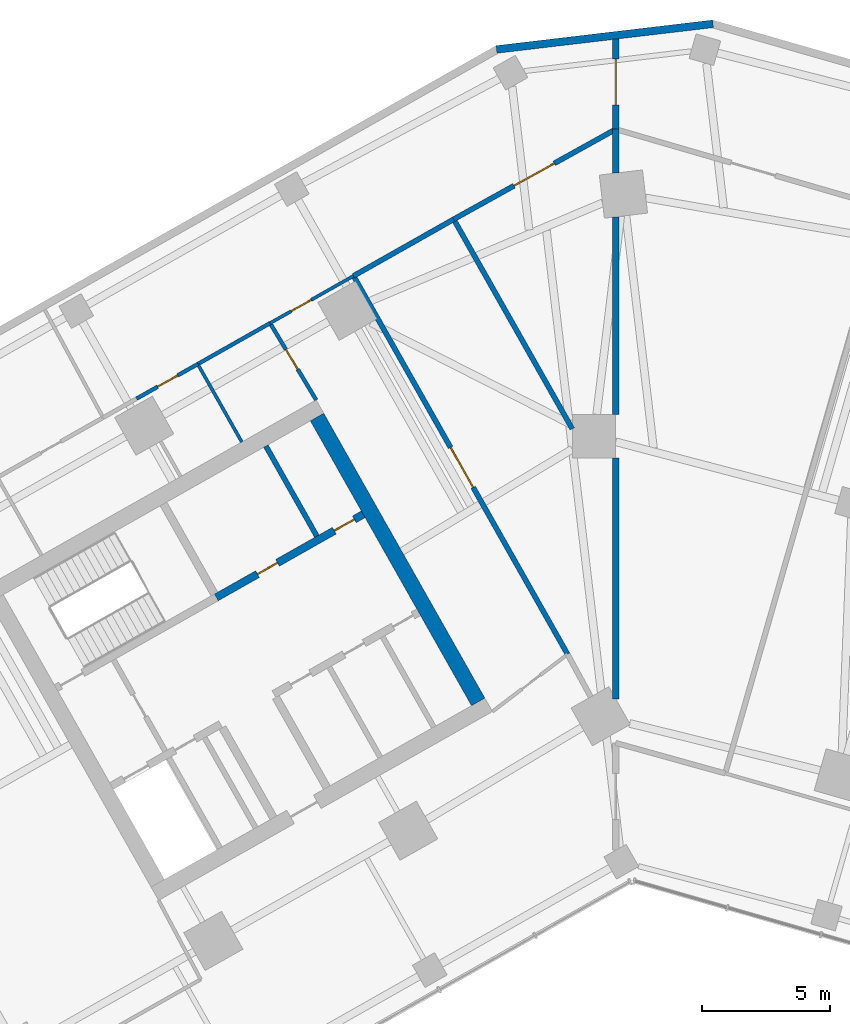
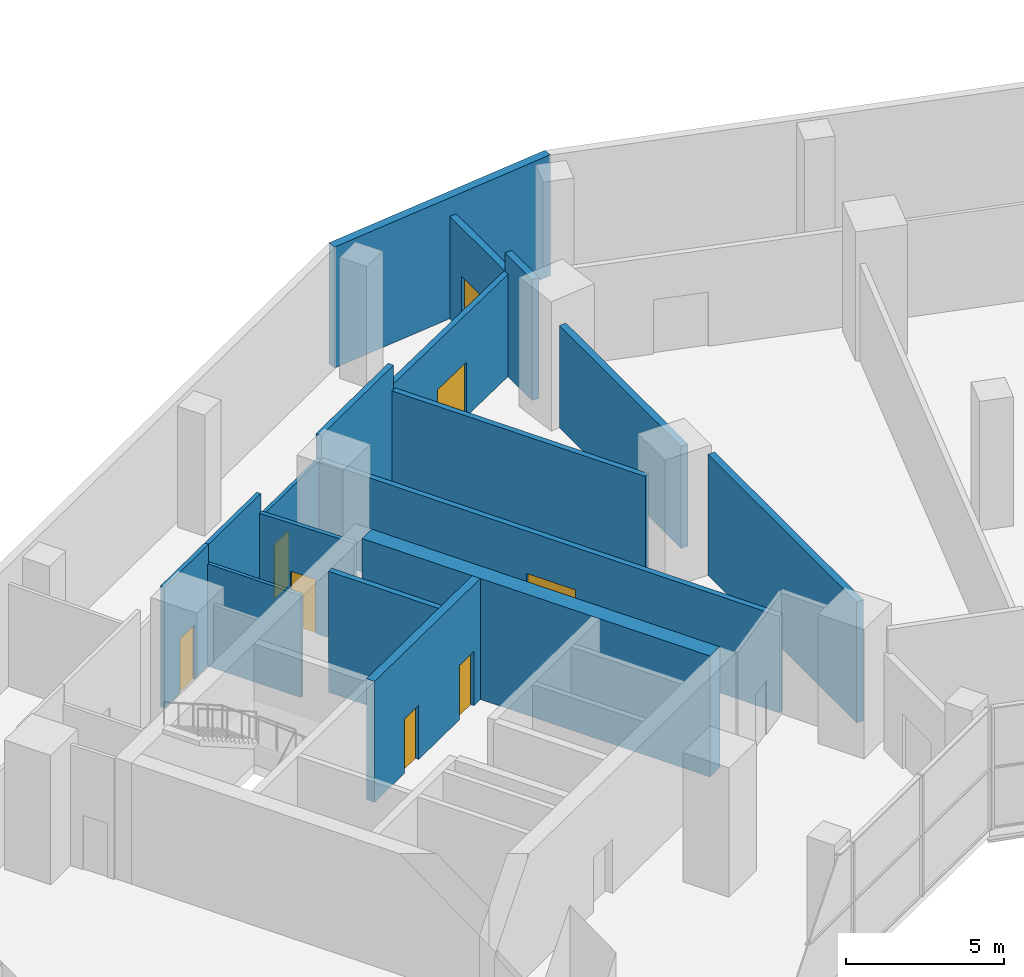
# One storey, part 10 of 16: 17 walls, 8 doors, 8 openings.
"""IFC4 building model written with IfcOpenShell, lengths in metres."""

import ifcopenshell
import ifcopenshell.guid

model = None  # the IFC model being written
_history = None  # IfcOwnerHistory: only IFC2X3 demands one
_inside = {}  # id of a spatial element -> (the spatial element, [elements in it])
_under = {}  # id of a project, library or spatial element -> (it, [spatial elements below it])
_declared = {}  # id of a project -> (the project, [libraries it declares])
_typed = {}  # id of a type object -> (the type object, [elements of that type])
_made_of = {}  # id of a material, layer set ... -> (it, [elements and type objects made of it])


def new_model(schema):
    """Start an empty IFC model of exactly this schema.

    Asked for "IFC4X3", IfcOpenShell would pick the latest addendum, in which some entities
    have other attributes; the version numbers below select the first issue.
    IFC2X3 requires an IfcOwnerHistory on every rooted entity: one is made here for all.
    """
    global model, _history
    if schema == "IFC4X3":
        model = ifcopenshell.file(schema_version=(4, 3, 0, 0))
    else:
        model = ifcopenshell.file(schema=schema)
    _inside.clear()
    _under.clear()
    _declared.clear()
    _typed.clear()
    _made_of.clear()
    _history = None
    if model.schema == "IFC2X3":
        org = make("IfcOrganization", Name="unknown")
        user = make(
            "IfcPersonAndOrganization",
            ThePerson=make("IfcPerson", FamilyName="unknown"),
            TheOrganization=org,
        )
        app = make(
            "IfcApplication",
            ApplicationDeveloper=org,
            Version="unknown",
            ApplicationFullName="unknown",
            ApplicationIdentifier="unknown",
        )
        _history = make(
            "IfcOwnerHistory",
            OwningUser=user,
            OwningApplication=app,
            ChangeAction="ADDED",
            CreationDate=0,
        )
    return model


def make(cls, **values):
    """One entity of the class cls with the attributes given. An attribute that is None is left unset."""
    return model.create_entity(
        cls, **{name: value for name, value in values.items() if value is not None}
    )


def rooted(cls, **values):
    """An entity with a GlobalId (a new one), such as an element, a storey or a relation."""
    return make(cls, GlobalId=ifcopenshell.guid.new(), OwnerHistory=_history, **values)


def si_unit(unit_type, name, prefix=None):
    """IfcSIUnit, for example si_unit("LENGTHUNIT", "METRE", prefix="MILLI")."""
    return make("IfcSIUnit", UnitType=unit_type, Prefix=prefix, Name=name)


def assignment(units):
    """IfcUnitAssignment: the units of a project."""
    return None if units is None else make("IfcUnitAssignment", Units=units)


def point(xyz):
    """IfcCartesianPoint."""
    return None if xyz is None else make("IfcCartesianPoint", Coordinates=xyz)


def direction(xyz):
    """IfcDirection."""
    return None if xyz is None else make("IfcDirection", DirectionRatios=xyz)


def frame(location, z_axis=None, x_axis=None):
    """IfcAxis2Placement3D, a coordinate frame: its origin and axes. An axis left out is left unset."""
    return make(
        "IfcAxis2Placement3D",
        Location=point(location),
        Axis=direction(z_axis),
        RefDirection=direction(x_axis),
    )


def frame_2d(location, x_axis=None):
    """IfcAxis2Placement2D, a coordinate frame in the plane: its origin and x axis."""
    return make(
        "IfcAxis2Placement2D", Location=point(location), RefDirection=direction(x_axis)
    )


def origin():
    """The frame at (0, 0, 0) with its axes left unset."""
    return frame((0.0, 0.0, 0.0))


def place(relative_to, where):
    """IfcLocalPlacement: puts the frame where relative to a parent placement (None: the world)."""
    return make(
        "IfcLocalPlacement", PlacementRelTo=relative_to, RelativePlacement=where
    )


def context(
    kind, dimensions, precision=None, world=None, true_north=None, identifier=None
):
    """IfcGeometricRepresentationContext, for example the 3D "Model" context."""
    return make(
        "IfcGeometricRepresentationContext",
        ContextIdentifier=identifier,
        ContextType=kind,
        CoordinateSpaceDimension=dimensions,
        Precision=precision,
        WorldCoordinateSystem=world,
        TrueNorth=true_north,
    )


def subcontext(parent, identifier, kind, view, scale=None):
    """IfcGeometricRepresentationSubContext, for example "Body" below "Model"."""
    return make(
        "IfcGeometricRepresentationSubContext",
        ContextIdentifier=identifier,
        ContextType=kind,
        ParentContext=parent,
        TargetScale=scale,
        TargetView=view,
    )


def project(units=None, contexts=None):
    """IfcProject with its units and contexts."""
    return rooted(
        "IfcProject",
        Name="project",
        RepresentationContexts=contexts,
        UnitsInContext=assignment(units),
    )


def spatial(cls, under=None, at=None, **own):
    """A site, building, storey or space (cls), placed at a placement, below another one or the project."""
    s = rooted(cls, ObjectPlacement=at, **own)
    if under is not None:
        _under.setdefault(under.id(), (under, []))[1].append(s)
    return s


def profile(cls, at=None, kind="AREA", **sizes):
    """A parametric profile (cls). Its sizes go by their IFC names, for example OverallWidth=200.0."""
    return make(cls, ProfileType=kind, Position=at, **sizes)


def rectangle(**sizes):
    """IfcRectangleProfileDef."""
    return profile("IfcRectangleProfileDef", **sizes)


def extrude(swept, where, along, depth):
    """IfcExtrudedAreaSolid: the profile swept, set in the frame where, extruded along a direction by depth."""
    return make(
        "IfcExtrudedAreaSolid",
        SweptArea=swept,
        Position=where,
        ExtrudedDirection=direction(along),
        Depth=depth,
    )


def shape(context_of_items, identifier, shape_type, items):
    """IfcShapeRepresentation: the items that make up one representation, for example the "Body"."""
    return make(
        "IfcShapeRepresentation",
        ContextOfItems=context_of_items,
        RepresentationIdentifier=identifier,
        RepresentationType=shape_type,
        Items=items,
    )


def material(Name=None, Category=None):
    """IfcMaterial."""
    return make("IfcMaterial", Name=Name, Category=Category)


def layer(
    of_material, thickness, ventilated=None, Name=None, Category=None, Priority=None
):
    """IfcMaterialLayer: one layer of a wall or slab, of a material (None: an air gap)."""
    return make(
        "IfcMaterialLayer",
        Material=of_material,
        LayerThickness=thickness,
        IsVentilated=ventilated,
        Name=Name,
        Category=Category,
        Priority=Priority,
    )


def layer_set(layers, Name=None):
    """IfcMaterialLayerSet."""
    return make("IfcMaterialLayerSet", MaterialLayers=layers, LayerSetName=Name)


def made_of(thing, what):
    """Note that an element or type object is made of a material, layer set ...; save() writes the relation."""
    if what is not None:
        _made_of.setdefault(what.id(), (what, []))[1].append(thing)
    return thing


def type_object(cls, material=None, **own):
    """A type object (cls), such as IfcWallType, which elements share."""
    return made_of(rooted(cls, **own), material)


def element(
    cls,
    number,
    at=None,
    inside=None,
    cuts=None,
    type_object=None,
    material=None,
    context=None,
    identifier="Body",
    shape_type=None,
    held_by="IfcProductDefinitionShape",
    body=None,
    shapes=None,
    **own,
):
    """One element of the class cls, such as IfcWall. Its Tag is "e" and its number.

    at: its placement. inside: the storey or other place that contains it. cuts: it is an
    opening in that element (IfcRelVoidsElement). A single representation is given by context,
    identifier, shape_type and body (its items); several are given by shapes. held_by: the class
    of the entity that holds the representations. save() writes the other relations.
    """
    e = rooted(cls, Tag="e%d" % number, ObjectPlacement=at, **own)
    if body is not None:
        shapes = [shape(context, identifier, shape_type, body)]
    if shapes is not None:
        e.Representation = make(held_by, Representations=shapes)
    if inside is not None:
        _inside.setdefault(inside.id(), (inside, []))[1].append(e)
    if cuts is not None:
        rooted(
            "IfcRelVoidsElement", RelatingBuildingElement=cuts, RelatedOpeningElement=e
        )
    if type_object is not None:
        _typed.setdefault(type_object.id(), (type_object, []))[1].append(e)
    return made_of(e, material)


def fill(opening, filler):
    """IfcRelFillsElement: the door or window that sits in an opening."""
    return rooted(
        "IfcRelFillsElement",
        RelatingOpeningElement=opening,
        RelatedBuildingElement=filler,
    )


def aggregate(whole, parts):
    """IfcRelAggregates: a whole, such as a stair, and the parts it consists of."""
    return rooted("IfcRelAggregates", RelatingObject=whole, RelatedObjects=parts)


def save(model, path):
    """Write the relations noted so far, then the file.

    IfcRelAggregates (storeys below a building ...), IfcRelContainedInSpatialStructure (elements
    in a storey), IfcRelDefinesByType, IfcRelAssociatesMaterial and IfcRelDeclares: one each for
    every whole, place, type object, material and project.
    """
    for whole, parts in _under.values():
        aggregate(whole, parts)
    for where, things in _inside.values():
        rooted(
            "IfcRelContainedInSpatialStructure",
            RelatedElements=things,
            RelatingStructure=where,
        )
    for kind, things in _typed.values():
        rooted("IfcRelDefinesByType", RelatedObjects=things, RelatingType=kind)
    for what, things in _made_of.values():
        rooted("IfcRelAssociatesMaterial", RelatedObjects=things, RelatingMaterial=what)
    for by, libraries in _declared.values():
        rooted("IfcRelDeclares", RelatingContext=by, RelatedDefinitions=libraries)
    model.write(path)


model = new_model("IFC4")

# Units and contexts
model_context = context("Model", 3, precision=1e-05, world=origin(), true_north=direction((0.0, 1.0)))
body_context = subcontext(model_context, "Body", "Model", "MODEL_VIEW")
ifc_project = project(units=[si_unit("LENGTHUNIT", "METRE"), si_unit("AREAUNIT", "SQUARE_METRE"), si_unit("VOLUMEUNIT", "CUBIC_METRE"), si_unit("PLANEANGLEUNIT", "RADIAN"), si_unit("MASSUNIT", "GRAM", prefix="KILO")], contexts=[model_context])

# Site, building, storey
site_placement = place(None, origin())
site = spatial("IfcSite", under=ifc_project, at=site_placement, CompositionType="ELEMENT")
building_placement = place(site_placement, origin())
building = spatial("IfcBuilding", under=site, at=building_placement, Name="Binnacle Exchange Tower", CompositionType="ELEMENT")
storey_placement = place(building_placement, frame((0.0, 0.0, 21.5)))
storey = spatial("IfcBuildingStorey", under=building, at=storey_placement, Name="L04", CompositionType="ELEMENT", Elevation=21.5)

# Wall
ifc_material_1 = material(Name="Gypsum partition fire rated")
ifc_layer_1 = layer(ifc_material_1, 0.199951171875)
ifc_layer_set_1 = layer_set([ifc_layer_1], Name="Core partition 200")
wall_type_1 = type_object("IfcWallType", Name="Core partition 200", PredefinedType="PARTITIONING", material=ifc_layer_set_1)
wall_1_placement = place(storey_placement, frame((-13.682861328125, 59.612060546875, 0.0), z_axis=(0.0, 0.0, 1.0), x_axis=(0.49241474071, -0.870360685654, 0.0)))
element("IfcWall", 1, at=wall_1_placement, inside=storey, type_object=wall_type_1, Name="Core wall CRWC20", PredefinedType="PARTITIONING", context=body_context, shape_type="SweptSolid", body=[
    extrude(rectangle(XDim=4.05029296875, YDim=0.199951171875, at=frame_2d((2.025146484375, 0.0))), origin(), (0.0, 0.0, 1.0), 4.679931640625),
])

# Wall, openings, doors
ifc_material_2 = material(Name="Concrete C70/85", Category="concrete")
ifc_layer_2 = layer(ifc_material_2, 0.300048828125)
ifc_layer_set_2 = layer_set([ifc_layer_2], Name="Core wall - front 300")
wall_type_2 = type_object("IfcWallType", Name="Core wall - front 300", PredefinedType="SOLIDWALL", material=ifc_layer_set_2)
wall_2_placement = place(storey_placement, frame((-15.6181640625, 53.69140625, 0.0), z_axis=(0.0, 0.0, 1.0), x_axis=(0.870356769198, 0.492421663121, 0.0)))
wall_2 = element("IfcWall", 2, at=wall_2_placement, inside=storey, type_object=wall_type_2, Name="Core wall CRWC5", PredefinedType="SOLIDWALL", context=body_context, shape_type="SweptSolid", body=[
    extrude(rectangle(XDim=6.60009765625, YDim=0.300048828125, at=frame_2d((3.300048828125, 0.0))), origin(), (0.0, 0.0, 1.0), 4.679931640625),
])
opening_1_placement = place(wall_2_placement, frame((1.85009765625, 0.0, 0.0)))
opening_1 = element("IfcOpeningElement", 3, at=opening_1_placement, cuts=wall_2, Name="Opening DC10", PredefinedType="OPENING", context=body_context, shape_type="SweptSolid", body=[
    extrude(rectangle(XDim=0.89990234375, YDim=2.10009765625, at=frame_2d((0.449951171875, 1.050048828125))), frame((0.0, 0.159912109375, 0.0), z_axis=(0.0, -1.0, 0.0), x_axis=(1.0, 0.0, 0.0)), (0.0, 0.0, 1.0), 0.320068359375),
])
opening_2_placement = place(wall_2_placement, frame((5.300048828125, 0.0, 0.0)))
opening_2 = element("IfcOpeningElement", 4, at=opening_2_placement, cuts=wall_2, Name="Opening DC11", PredefinedType="OPENING", context=body_context, shape_type="SweptSolid", body=[
    extrude(rectangle(XDim=0.89990234375, YDim=2.10009765625, at=frame_2d((0.449951171875, 1.050048828125))), frame((0.0, 0.159912109375, 0.0), z_axis=(0.0, -1.0, 0.0), x_axis=(1.0, 0.0, 0.0)), (0.0, 0.0, 1.0), 0.320068359375),
])
ifc_material_3 = material(Name="Steel door leaf", Category="steel")
door_type_1 = type_object("IfcDoorType", Name="Fire door 900", OperationType="NOTDEFINED", PredefinedType="DOOR", material=ifc_material_3)
door_1_placement = place(opening_1_placement, origin())
door_1 = element("IfcDoor", 5, at=door_1_placement, inside=storey, type_object=door_type_1, Name="Core room door EQUIPMENT STORE", OperationType="SINGLE_SWING_LEFT", OverallHeight=2.10009765625, OverallWidth=0.89990234375, PredefinedType="DOOR", context=body_context, shape_type="SweptSolid", body=[
    extrude(rectangle(XDim=0.89990234375, YDim=2.10009765625, at=frame_2d((0.449951171875, 1.050048828125))), frame((0.0, 0.02490234375, 0.0), z_axis=(0.0, -1.0, 0.0), x_axis=(1.0, 0.0, 0.0)), (0.0, 0.0, 1.0), 0.050048828125),
])
fill(opening_1, door_1)
door_2_placement = place(opening_2_placement, origin())
door_2 = element("IfcDoor", 6, at=door_2_placement, inside=storey, type_object=door_type_1, Name="Core room door UPS CUPBOARD", OperationType="SINGLE_SWING_RIGHT", OverallHeight=2.10009765625, OverallWidth=0.89990234375, PredefinedType="DOOR", context=body_context, shape_type="SweptSolid", body=[
    extrude(rectangle(XDim=0.89990234375, YDim=2.10009765625, at=frame_2d((0.449951171875, 1.050048828125))), frame((0.0, 0.02490234375, 0.0), z_axis=(0.0, -1.0, 0.0), x_axis=(1.0, 0.0, 0.0)), (0.0, 0.0, 1.0), 0.050048828125),
])
fill(opening_2, door_2)

# Walls
ifc_layer_3 = layer(ifc_material_2, 0.60009765625)
ifc_layer_set_3 = layer_set([ifc_layer_3], Name="Core wall - outer 600")
wall_type_3 = type_object("IfcWallType", Name="Core wall - outer 600", PredefinedType="SOLIDWALL", material=ifc_layer_set_3)
wall_3_placement = place(storey_placement, frame((-11.680908203125, 60.744384765625, 0.0), z_axis=(0.0, 0.0, 1.0), x_axis=(0.492426772896, -0.870353878221, 0.0)))
element("IfcWall", 7, at=wall_3_placement, inside=storey, type_object=wall_type_3, Name="Core wall CRWC24", PredefinedType="SOLIDWALL", context=body_context, shape_type="SweptSolid", body=[
    extrude(rectangle(XDim=12.7998046875, YDim=0.60009765625, at=frame_2d((6.39990234375, 0.0))), origin(), (0.0, 0.0, 1.0), 4.679931640625),
])
ifc_material_4 = material(Name="Bronze aluminium louvre", Category="aluminium")
ifc_layer_4 = layer(ifc_material_4, 0.300048828125)
ifc_layer_set_4 = layer_set([ifc_layer_4], Name="External wall - podium louvre 300")
wall_type_4 = type_object("IfcWallType", Name="External wall - podium louvre 300", PredefinedType="STANDARD", material=ifc_layer_set_4)
wall_4_placement = place(storey_placement, frame((-4.662841796875, 75.1201171875, 0.0), z_axis=(0.0, 0.0, 1.0), x_axis=(0.993070050845, 0.117523929966, 0.0)))
element("IfcWall", 8, at=wall_4_placement, inside=storey, type_object=wall_type_4, Name="External wall EW-P01 L04", PredefinedType="STANDARD", context=body_context, shape_type="SweptSolid", body=[
    extrude(rectangle(XDim=8.527587890625, YDim=0.300048828125, at=frame_2d((4.263671875, 0.0))), origin(), (0.0, 0.0, 1.0), 4.679931640625),
])
ifc_material_5 = material(Name="Masonry block wall", Category="masonry")
ifc_layer_5 = layer(ifc_material_5, 0.199951171875)
ifc_layer_set_5 = layer_set([ifc_layer_5], Name="Fire wall - block 200")
wall_type_5 = type_object("IfcWallType", Name="Fire wall - block 200", PredefinedType="PARTITIONING", material=ifc_layer_set_5)
wall_5_placement = place(storey_placement, frame((-10.25390625, 66.262939453125, 0.0), z_axis=(0.0, 0.0, 1.0), x_axis=(0.870454697906, 0.492248533664, 0.0)))
element("IfcWall", 9, at=wall_5_placement, inside=storey, type_object=wall_type_5, Name="Partition W35", PredefinedType="PARTITIONING", context=body_context, shape_type="SweptSolid", body=[
    extrude(rectangle(XDim=4.5, YDim=0.199951171875, at=frame_2d((2.25, 0.0))), origin(), (0.0, 0.0, 1.0), 4.679931640625),
])

# Wall, opening, door
wall_6_placement = place(storey_placement, frame((-10.25390625, 66.262939453125, 0.0), z_axis=(0.0, 0.0, 1.0), x_axis=(0.492411664329, -0.870362426138, 0.0)))
wall_6 = element("IfcWall", 10, at=wall_6_placement, inside=storey, type_object=wall_type_5, Name="Partition W36", PredefinedType="PARTITIONING", context=body_context, shape_type="SweptSolid", body=[
    extrude(rectangle(XDim=16.999755859375, YDim=0.199951171875, at=frame_2d((8.5, 0.0))), origin(), (0.0, 0.0, 1.0), 3.741943359375),
])
opening_3_placement = place(wall_6_placement, frame((7.699951171875, 0.0, 0.0)))
opening_3 = element("IfcOpeningElement", 11, at=opening_3_placement, cuts=wall_6, Name="Opening DL03-09", PredefinedType="OPENING", context=body_context, shape_type="SweptSolid", body=[
    extrude(rectangle(XDim=1.800048828125, YDim=2.10009765625, at=frame_2d((0.89990234375, 1.050048828125))), frame((0.0, 0.10986328125, 0.0), z_axis=(0.0, -1.0, 0.0), x_axis=(1.0, 0.0, 0.0)), (0.0, 0.0, 1.0), 0.219970703125),
])
door_type_2 = type_object("IfcDoorType", Name="Fire door 1800", OperationType="NOTDEFINED", PredefinedType="DOOR", material=ifc_material_3)
door_3_placement = place(opening_3_placement, origin())
door_3 = element("IfcDoor", 12, at=door_3_placement, inside=storey, type_object=door_type_2, Name="Door DL03-09", OperationType="DOUBLE_DOOR_SINGLE_SWING", OverallHeight=2.10009765625, OverallWidth=1.800048828125, PredefinedType="DOOR", context=body_context, shape_type="SweptSolid", body=[
    extrude(rectangle(XDim=1.800048828125, YDim=2.10009765625, at=frame_2d((0.89990234375, 1.050048828125))), frame((0.0, 0.02490234375, 0.0), z_axis=(0.0, -1.0, 0.0), x_axis=(1.0, 0.0, 0.0)), (0.0, 0.0, 1.0), 0.050048828125),
])
fill(opening_3, door_3)

# Wall
wall_7_placement = place(storey_placement, frame((-6.3369140625, 68.47802734375, 0.0), z_axis=(0.0, 0.0, 1.0), x_axis=(0.492412602502, -0.870361895361, 0.0)))
element("IfcWall", 13, at=wall_7_placement, inside=storey, type_object=wall_type_5, Name="Partition W37", PredefinedType="PARTITIONING", context=body_context, shape_type="SweptSolid", body=[
    extrude(rectangle(XDim=9.416748046875, YDim=0.199951171875, at=frame_2d((4.70849609375, 0.0))), origin(), (0.0, 0.0, 1.0), 3.741943359375),
])

# Wall, opening, door
wall_8_placement = place(storey_placement, frame((-6.3369140625, 68.47802734375, 0.0), z_axis=(0.0, 0.0, 1.0), x_axis=(0.87407148623, 0.485797320864, 0.0)))
wall_8 = element("IfcWall", 14, at=wall_8_placement, inside=storey, type_object=wall_type_5, Name="Partition W38", PredefinedType="PARTITIONING", context=body_context, shape_type="SweptSolid", body=[
    extrude(rectangle(XDim=7.25, YDim=0.199951171875, at=frame_2d((3.625, 0.0))), origin(), (0.0, 0.0, 1.0), 3.9599609375),
])
opening_4_placement = place(wall_8_placement, frame((2.699951171875, 0.0, 0.0)))
opening_4 = element("IfcOpeningElement", 15, at=opening_4_placement, cuts=wall_8, Name="Opening DL03-10", PredefinedType="OPENING", context=body_context, shape_type="SweptSolid", body=[
    extrude(rectangle(XDim=1.800048828125, YDim=2.10009765625, at=frame_2d((0.89990234375, 1.050048828125))), frame((0.0, 0.10986328125, 0.0), z_axis=(0.0, -1.0, 0.0), x_axis=(1.0, 0.0, 0.0)), (0.0, 0.0, 1.0), 0.219970703125),
])
door_4_placement = place(opening_4_placement, frame((1.800048828125, 0.0, 0.0), z_axis=(0.0, 0.0, 1.0), x_axis=(-1.0, 0.0, 0.0)))
door_4 = element("IfcDoor", 16, at=door_4_placement, inside=storey, type_object=door_type_2, Name="Door DL03-10", OperationType="DOUBLE_DOOR_SINGLE_SWING", OverallHeight=2.10009765625, OverallWidth=1.800048828125, PredefinedType="DOOR", context=body_context, shape_type="SweptSolid", body=[
    extrude(rectangle(XDim=1.800048828125, YDim=2.10009765625, at=frame_2d((0.89990234375, 1.050048828125))), frame((0.0, 0.02490234375, 0.0), z_axis=(0.0, -1.0, 0.0), x_axis=(1.0, 0.0, 0.0)), (0.0, 0.0, 1.0), 0.050048828125),
])
fill(opening_4, door_4)

# Walls
ifc_material_6 = material(Name="Concrete fire wall C30/37", Category="concrete")
ifc_layer_6 = layer(ifc_material_6, 0.25)
ifc_layer_set_6 = layer_set([ifc_layer_6], Name="Fire wall - compartment 250")
wall_type_6 = type_object("IfcWallType", Name="Fire wall - compartment 250", PredefinedType="PARTITIONING", material=ifc_layer_set_6)
wall_9_placement = place(storey_placement, frame((0.0, 49.72607421875, 0.0), z_axis=(0.0, 0.0, 1.0), x_axis=(0.0, 1.0, 0.0)))
element("IfcWall", 17, at=wall_9_placement, inside=storey, type_object=wall_type_6, Name="Fire Wall W43", PredefinedType="PARTITIONING", context=body_context, shape_type="SweptSolid", body=[
    extrude(rectangle(XDim=9.423828125, YDim=0.25, at=frame_2d((4.7119140625, 0.0))), origin(), (0.0, 0.0, 1.0), 4.679931640625),
])
wall_10_placement = place(storey_placement, frame((0.0, 60.85009765625, 0.0), z_axis=(0.0, 0.0, 1.0), x_axis=(0.0, 1.0, 0.0)))
element("IfcWall", 18, at=wall_10_placement, inside=storey, type_object=wall_type_6, Name="Fire Wall W44", PredefinedType="PARTITIONING", context=body_context, shape_type="SweptSolid", body=[
    extrude(rectangle(XDim=7.722900390625, YDim=0.25, at=frame_2d((3.861328125, 0.0))), origin(), (0.0, 0.0, 1.0), 3.951904296875),
])
wall_11_placement = place(storey_placement, frame((0.0, 70.284912109375, 0.0), z_axis=(0.0, 0.0, 1.0), x_axis=(0.0, 1.0, 0.0)))
element("IfcWall", 19, at=wall_11_placement, inside=storey, type_object=wall_type_6, Name="Fire Wall W45", PredefinedType="PARTITIONING", context=body_context, shape_type="SweptSolid", body=[
    extrude(rectangle(XDim=1.715087890625, YDim=0.25, at=frame_2d((0.857421875, 0.0))), origin(), (0.0, 0.0, 1.0), 4.679931640625),
])

# Wall, opening, door
wall_12_placement = place(storey_placement, frame((0.0, 72.0, 0.0), z_axis=(0.0, 0.0, 1.0), x_axis=(0.0, 1.0, 0.0)))
wall_12 = element("IfcWall", 20, at=wall_12_placement, inside=storey, type_object=wall_type_6, Name="Fire Wall W46", PredefinedType="PARTITIONING", context=body_context, shape_type="SweptSolid", body=[
    extrude(rectangle(XDim=3.52099609375, YDim=0.25, at=frame_2d((1.760498046875, 0.0))), origin(), (0.0, 0.0, 1.0), 3.9599609375),
])
opening_5_placement = place(wall_12_placement, frame((0.949951171875, 0.0, 0.0)))
opening_5 = element("IfcOpeningElement", 21, at=opening_5_placement, cuts=wall_12, Name="Opening DL03-32", PredefinedType="OPENING", context=body_context, shape_type="SweptSolid", body=[
    extrude(rectangle(XDim=1.800048828125, YDim=2.10009765625, at=frame_2d((0.89990234375, 1.050048828125))), frame((0.0, 0.135009765625, 0.0), z_axis=(0.0, -1.0, 0.0), x_axis=(1.0, 0.0, 0.0)), (0.0, 0.0, 1.0), 0.27001953125),
])
door_5_placement = place(opening_5_placement, origin())
door_5 = element("IfcDoor", 22, at=door_5_placement, inside=storey, type_object=door_type_2, Name="Door DL03-32", OperationType="DOUBLE_DOOR_SINGLE_SWING", OverallHeight=2.10009765625, OverallWidth=1.800048828125, PredefinedType="DOOR", context=body_context, shape_type="SweptSolid", body=[
    extrude(rectangle(XDim=1.800048828125, YDim=2.10009765625, at=frame_2d((0.89990234375, 1.050048828125))), frame((0.0, 0.02490234375, 0.0), z_axis=(0.0, -1.0, 0.0), x_axis=(1.0, 0.0, 0.0)), (0.0, 0.0, 1.0), 0.050048828125),
])
fill(opening_5, door_5)

ifc_layer_7 = layer(ifc_material_1, 0.14990234375)
ifc_layer_set_7 = layer_set([ifc_layer_7], Name="Fire-rated partition 150")
wall_type_7 = type_object("IfcWallType", Name="Fire-rated partition 150", PredefinedType="PARTITIONING", material=ifc_layer_set_7)
wall_13_placement = place(storey_placement, frame((-18.739990234375, 61.4619140625, 0.0), z_axis=(0.0, 0.0, 1.0), x_axis=(0.870430549821, 0.492291232848, 0.0)))
wall_13 = element("IfcWall", 23, at=wall_13_placement, inside=storey, type_object=wall_type_7, Name="Partition W28", PredefinedType="PARTITIONING", context=body_context, shape_type="SweptSolid", body=[
    extrude(rectangle(XDim=2.75048828125, YDim=0.14990234375, at=frame_2d((1.375244140625, 0.0))), origin(), (0.0, 0.0, 1.0), 4.679931640625),
])
opening_6_placement = place(wall_13_placement, frame((0.949951171875, 0.0, 0.0)))
opening_6 = element("IfcOpeningElement", 24, at=opening_6_placement, cuts=wall_13, Name="Opening DL03-14", PredefinedType="OPENING", context=body_context, shape_type="SweptSolid", body=[
    extrude(rectangle(XDim=0.89990234375, YDim=2.10009765625, at=frame_2d((0.449951171875, 1.050048828125))), frame((0.0, 0.0849609375, 0.0), z_axis=(0.0, -1.0, 0.0), x_axis=(1.0, 0.0, 0.0)), (0.0, 0.0, 1.0), 0.169921875),
])
door_6_placement = place(opening_6_placement, frame((0.89990234375, 0.0, 0.0), z_axis=(0.0, 0.0, 1.0), x_axis=(-1.0, 0.0, 0.0)))
door_6 = element("IfcDoor", 25, at=door_6_placement, inside=storey, type_object=door_type_1, Name="Door DL03-14", OperationType="SINGLE_SWING_LEFT", OverallHeight=2.10009765625, OverallWidth=0.89990234375, PredefinedType="DOOR", context=body_context, shape_type="SweptSolid", body=[
    extrude(rectangle(XDim=0.89990234375, YDim=2.10009765625, at=frame_2d((0.449951171875, 1.050048828125))), frame((0.0, 0.02490234375, 0.0), z_axis=(0.0, -1.0, 0.0), x_axis=(1.0, 0.0, 0.0)), (0.0, 0.0, 1.0), 0.050048828125),
])
fill(opening_6, door_6)

# Wall
wall_14_placement = place(storey_placement, frame((-16.345947265625, 62.81591796875, 0.0), z_axis=(0.0, 0.0, 1.0), x_axis=(0.870334637055, 0.492460779699, 0.0)))
element("IfcWall", 26, at=wall_14_placement, inside=storey, type_object=wall_type_7, Name="Partition W32", PredefinedType="PARTITIONING", context=body_context, shape_type="SweptSolid", body=[
    extrude(rectangle(XDim=3.249267578125, YDim=0.14990234375, at=frame_2d((1.62451171875, 0.0))), origin(), (0.0, 0.0, 1.0), 4.679931640625),
])

# Wall, opening, door
wall_15_placement = place(storey_placement, frame((-13.51806640625, 64.416015625, 0.0), z_axis=(0.0, 0.0, 1.0), x_axis=(0.514875058642, -0.857265229663, 0.0)))
wall_15 = element("IfcWall", 27, at=wall_15_placement, inside=storey, type_object=wall_type_7, Name="Partition W33", PredefinedType="PARTITIONING", context=body_context, shape_type="SweptSolid", body=[
    extrude(rectangle(XDim=3.501708984375, YDim=0.14990234375, at=frame_2d((1.7509765625, 0.0))), origin(), (0.0, 0.0, 1.0), 3.9599609375),
])
opening_7_placement = place(wall_15_placement, frame((1.199951171875, 0.0, 0.0)))
opening_7 = element("IfcOpeningElement", 28, at=opening_7_placement, cuts=wall_15, Name="Opening DL03-15", PredefinedType="OPENING", context=body_context, shape_type="SweptSolid", body=[
    extrude(rectangle(XDim=0.89990234375, YDim=2.10009765625, at=frame_2d((0.449951171875, 1.050048828125))), frame((0.0, 0.0849609375, 0.0), z_axis=(0.0, -1.0, 0.0), x_axis=(1.0, 0.0, 0.0)), (0.0, 0.0, 1.0), 0.169921875),
])
door_7_placement = place(opening_7_placement, frame((0.89990234375, 0.0, 0.0), z_axis=(0.0, 0.0, 1.0), x_axis=(-1.0, 0.0, 0.0)))
door_7 = element("IfcDoor", 29, at=door_7_placement, inside=storey, type_object=door_type_1, Name="Door DL03-15", OperationType="SINGLE_SWING_RIGHT", OverallHeight=2.10009765625, OverallWidth=0.89990234375, PredefinedType="DOOR", context=body_context, shape_type="SweptSolid", body=[
    extrude(rectangle(XDim=0.89990234375, YDim=2.10009765625, at=frame_2d((0.449951171875, 1.050048828125))), frame((0.0, 0.02490234375, 0.0), z_axis=(0.0, -1.0, 0.0), x_axis=(1.0, 0.0, 0.0)), (0.0, 0.0, 1.0), 0.050048828125),
])
fill(opening_7, door_7)

# Wall
ifc_material_7 = material(Name="Gypsum partition")
ifc_layer_8 = layer(ifc_material_7, 0.125)
ifc_layer_set_8 = layer_set([ifc_layer_8], Name="Partition 125")
wall_type_8 = type_object("IfcWallType", Name="Partition 125", PredefinedType="PARTITIONING", material=ifc_layer_set_8)
wall_16_placement = place(storey_placement, frame((-16.345947265625, 62.81591796875, 0.0), z_axis=(0.0, 0.0, 1.0), x_axis=(0.492220429283, -0.870470590541, 0.0)))
element("IfcWall", 30, at=wall_16_placement, inside=storey, type_object=wall_type_8, Name="Partition W31", PredefinedType="PARTITIONING", context=body_context, shape_type="SweptSolid", body=[
    extrude(rectangle(XDim=3.500244140625, YDim=0.125, at=frame_2d((1.75, 0.0))), origin(), (0.0, 0.0, 1.0), 3.9599609375),
])

# Wall, opening, door
wall_17_placement = place(storey_placement, frame((-13.51806640625, 64.416015625, 0.0), z_axis=(0.0, 0.0, 1.0), x_axis=(0.870338454914, 0.492454032268, 0.0)))
wall_17 = element("IfcWall", 31, at=wall_17_placement, inside=storey, type_object=wall_type_8, Name="Partition W34", PredefinedType="PARTITIONING", context=body_context, shape_type="SweptSolid", body=[
    extrude(rectangle(XDim=3.75048828125, YDim=0.125, at=frame_2d((1.875244140625, 0.0))), origin(), (0.0, 0.0, 1.0), 3.741943359375),
])
opening_8_placement = place(wall_17_placement, frame((0.949951171875, 0.0, 0.0)))
opening_8 = element("IfcOpeningElement", 32, at=opening_8_placement, cuts=wall_17, Name="Opening DL03-06", PredefinedType="OPENING", context=body_context, shape_type="SweptSolid", body=[
    extrude(rectangle(XDim=0.89990234375, YDim=2.10009765625, at=frame_2d((0.449951171875, 1.050048828125))), frame((0.0, 0.072509765625, 0.0), z_axis=(0.0, -1.0, 0.0), x_axis=(1.0, 0.0, 0.0)), (0.0, 0.0, 1.0), 0.14501953125),
])
ifc_material_8 = material(Name="Timber door leaf", Category="wood")
door_type_3 = type_object("IfcDoorType", Name="Door 900", OperationType="NOTDEFINED", PredefinedType="DOOR", material=ifc_material_8)
door_8_placement = place(opening_8_placement, origin())
door_8 = element("IfcDoor", 33, at=door_8_placement, inside=storey, type_object=door_type_3, Name="Door DL03-06", OperationType="SINGLE_SWING_LEFT", OverallHeight=2.10009765625, OverallWidth=0.89990234375, PredefinedType="DOOR", context=body_context, shape_type="SweptSolid", body=[
    extrude(rectangle(XDim=0.89990234375, YDim=2.10009765625, at=frame_2d((0.449951171875, 1.050048828125))), frame((0.0, 0.02490234375, 0.0), z_axis=(0.0, -1.0, 0.0), x_axis=(1.0, 0.0, 0.0)), (0.0, 0.0, 1.0), 0.050048828125),
])
fill(opening_8, door_8)

save(model, "model.ifc")
